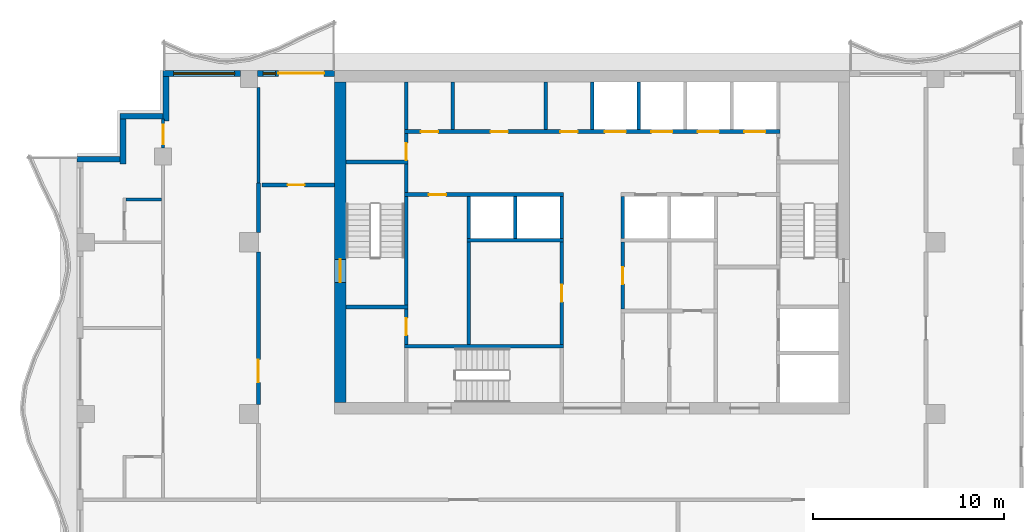
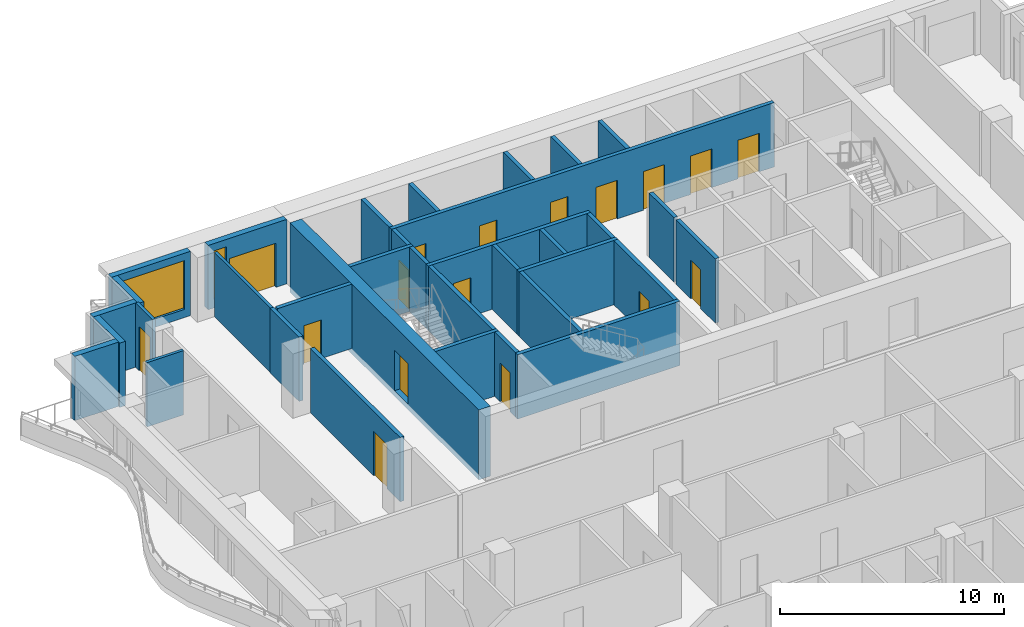
# One storey, part 5 of 11: 35 walls, 17 doors, 2 windows, 19 openings.
"""IFC4 building model written with IfcOpenShell, lengths in metres."""

from ifc_helpers import new_model, si_unit, direction, frame, frame_2d, origin, place, context, subcontext, project, spatial, rectangle, extrude, material, layer, layer_set, type_object, element, fill, save


model = new_model("IFC4")

# Units and contexts
model_context = context("Model", 3, precision=1e-05, world=origin(), true_north=direction((0.0, 1.0)))
body_context = subcontext(model_context, "Body", "Model", "MODEL_VIEW")
ifc_project = project(units=[si_unit("LENGTHUNIT", "METRE"), si_unit("AREAUNIT", "SQUARE_METRE"), si_unit("VOLUMEUNIT", "CUBIC_METRE"), si_unit("PLANEANGLEUNIT", "RADIAN"), si_unit("MASSUNIT", "GRAM", prefix="KILO")], contexts=[model_context])

# Site, building, storey
site_placement = place(None, origin())
site = spatial("IfcSite", under=ifc_project, at=site_placement, CompositionType="ELEMENT")
building_placement = place(site_placement, origin())
building = spatial("IfcBuilding", under=site, at=building_placement, Name="Orbiselva Terraces", CompositionType="ELEMENT")
storey_placement = place(building_placement, frame((0.0, 0.0, 254.0)))
storey = spatial("IfcBuildingStorey", under=building, at=storey_placement, Name="L64", CompositionType="ELEMENT", Elevation=254.0)

# Wall, opening, door
ifc_material_1 = material(Name="Concrete C80/95", Category="concrete")
ifc_layer_1 = layer(ifc_material_1, 0.6)
ifc_layer_set_1 = layer_set([ifc_layer_1], Name="Concrete C80/95")
wall_type_1 = type_object("IfcWallType", Name="CORE WALL 600", PredefinedType="SHEAR", material=ifc_layer_set_1)
wall_1_placement = place(storey_placement, frame((-13.2, 21.9, -0.3), z_axis=(0.0, 0.0, 1.0), x_axis=(0.0, -1.0, 0.0)))
wall_1 = element("IfcWall", 1, at=wall_1_placement, inside=storey, type_object=wall_type_1, Name="Core wall L64 west", PredefinedType="SHEAR", context=body_context, shape_type="SweptSolid", body=[
    extrude(rectangle(XDim=16.8, YDim=0.6, at=frame_2d((8.4, 0.0))), origin(), (0.0, 0.0, 1.0), 3.8),
])
opening_1_placement = place(wall_1_placement, frame((9.3, 0.0, 0.3)))
opening_1 = element("IfcOpeningElement", 2, at=opening_1_placement, cuts=wall_1, Name="Opening DS1200", PredefinedType="OPENING", context=body_context, shape_type="SweptSolid", body=[
    extrude(rectangle(XDim=1.2, YDim=2.2, at=frame_2d((0.6, 1.1))), frame((0.0, 0.31, 0.0), z_axis=(0.0, -1.0, 0.0), x_axis=(1.0, 0.0, 0.0)), (0.0, 0.0, 1.0), 0.62),
])
ifc_material_2 = material(Name="Steel fire door", Category="steel")
door_type_1 = type_object("IfcDoorType", Name="STAIR DOOR 1200", OperationType="NOTDEFINED", PredefinedType="DOOR", material=ifc_material_2)
door_1_placement = place(opening_1_placement, frame((1.2, 0.0, 0.0), z_axis=(0.0, 0.0, 1.0), x_axis=(-1.0, 0.0, 0.0)))
door_1 = element("IfcDoor", 3, at=door_1_placement, inside=storey, type_object=door_type_1, Name="L64 EXIT STAIR S1 door", OperationType="SINGLE_SWING_RIGHT", OverallHeight=2.2, OverallWidth=1.2, PredefinedType="DOOR", context=body_context, shape_type="SweptSolid", body=[
    extrude(rectangle(XDim=1.2, YDim=2.2, at=frame_2d((0.6, 1.1))), frame((0.0, 0.025, 0.0), z_axis=(0.0, -1.0, 0.0), x_axis=(1.0, 0.0, 0.0)), (0.0, 0.0, 1.0), 0.05),
])
fill(opening_1, door_1)

ifc_material_3 = material(Name="Masonry blockwork", Category="masonry")
ifc_layer_2 = layer(ifc_material_3, 0.2)
ifc_layer_set_2 = layer_set([ifc_layer_2], Name="Masonry blockwork")
wall_type_2 = type_object("IfcWallType", Name="CORE-WALL-PARTITION-200", PredefinedType="PARTITIONING", material=ifc_layer_set_2)
wall_2_placement = place(storey_placement, frame((-9.75, 8.15, 0.0), z_axis=(0.0, 0.0, 1.0), x_axis=(0.0, 1.0, 0.0)))
wall_2 = element("IfcWall", 4, at=wall_2_placement, inside=storey, type_object=wall_type_2, Name="L64 core wall 05", PredefinedType="PARTITIONING", context=body_context, shape_type="SweptSolid", body=[
    extrude(rectangle(XDim=1.85, YDim=0.2, at=frame_2d((0.925, 0.0))), origin(), (0.0, 0.0, 1.0), 3.5),
])
opening_2_placement = place(wall_2_placement, frame((0.475, 0.0, 0.0)))
opening_2 = element("IfcOpeningElement", 5, at=opening_2_placement, cuts=wall_2, Name="Opening DR900", PredefinedType="OPENING", context=body_context, shape_type="SweptSolid", body=[
    extrude(rectangle(XDim=0.9, YDim=2.1, at=frame_2d((0.45, 1.05))), frame((0.0, 0.11, 0.0), z_axis=(0.0, -1.0, 0.0), x_axis=(1.0, 0.0, 0.0)), (0.0, 0.0, 1.0), 0.22),
])
door_type_2 = type_object("IfcDoorType", Name="ROOM DOOR 900", OperationType="NOTDEFINED", PredefinedType="DOOR", material=ifc_material_2)
door_2_placement = place(opening_2_placement, origin())
door_2 = element("IfcDoor", 6, at=door_2_placement, inside=storey, type_object=door_type_2, Name="L64 STAFF WC door", OperationType="SINGLE_SWING_RIGHT", OverallHeight=2.1, OverallWidth=0.9, PredefinedType="DOOR", context=body_context, shape_type="SweptSolid", body=[
    extrude(rectangle(XDim=0.9, YDim=2.1, at=frame_2d((0.45, 1.05))), frame((0.0, 0.025, 0.0), z_axis=(0.0, -1.0, 0.0), x_axis=(1.0, 0.0, 0.0)), (0.0, 0.0, 1.0), 0.05),
])
fill(opening_2, door_2)

wall_3_placement = place(storey_placement, frame((-9.75, 17.8, 0.0), z_axis=(0.0, 0.0, 1.0), x_axis=(0.0, 1.0, 0.0)))
wall_3 = element("IfcWall", 7, at=wall_3_placement, inside=storey, type_object=wall_type_2, Name="L64 core wall 09", PredefinedType="PARTITIONING", context=body_context, shape_type="SweptSolid", body=[
    extrude(rectangle(XDim=1.4, YDim=0.2, at=frame_2d((0.7, 0.0))), origin(), (0.0, 0.0, 1.0), 3.5),
])
opening_3_placement = place(wall_3_placement, origin())
opening_3 = element("IfcOpeningElement", 8, at=opening_3_placement, cuts=wall_3, Name="Opening DR900", PredefinedType="OPENING", context=body_context, shape_type="SweptSolid", body=[
    extrude(rectangle(XDim=0.9, YDim=2.1, at=frame_2d((0.45, 1.05))), frame((0.0, 0.11, 0.0), z_axis=(0.0, -1.0, 0.0), x_axis=(1.0, 0.0, 0.0)), (0.0, 0.0, 1.0), 0.22),
])
door_3_placement = place(opening_3_placement, origin())
door_3 = element("IfcDoor", 9, at=door_3_placement, inside=storey, type_object=door_type_2, Name="L64 ELECTRICAL RISER ROOM door", OperationType="SINGLE_SWING_LEFT", OverallHeight=2.1, OverallWidth=0.9, PredefinedType="DOOR", context=body_context, shape_type="SweptSolid", body=[
    extrude(rectangle(XDim=0.9, YDim=2.1, at=frame_2d((0.45, 1.05))), frame((0.0, 0.025, 0.0), z_axis=(0.0, -1.0, 0.0), x_axis=(1.0, 0.0, 0.0)), (0.0, 0.0, 1.0), 0.05),
])
fill(opening_3, door_3)

# Walls
for number, where, z_axis, x_axis, name in (
    (10, (-9.75, 19.4, 0.0), (0.0, 0.0, 1.0), (0.0, 1.0, 0.0), "L64 core wall 11"),
    (11, (-7.3125, 19.4, 0.0), (0.0, 0.0, 1.0), (0.0, 1.0, 0.0), "L64 core wall 12"),
):
    element("IfcWall", number, at=place(storey_placement, frame(where, z_axis=z_axis, x_axis=x_axis)), inside=storey, type_object=wall_type_2, Name=name, PredefinedType="PARTITIONING", context=body_context, shape_type="SweptSolid", body=[
        extrude(rectangle(XDim=2.5, YDim=0.2, at=frame_2d((1.25, 0.0))), origin(), (0.0, 0.0, 1.0), 3.5),
    ])
wall_4_placement = place(storey_placement, frame((-6.475, 8.15, 0.0), z_axis=(0.0, 0.0, 1.0), x_axis=(0.0, 1.0, 0.0)))
element("IfcWall", 12, at=wall_4_placement, inside=storey, type_object=wall_type_2, Name="L64 core wall 13", PredefinedType="PARTITIONING", context=body_context, shape_type="SweptSolid", body=[
    extrude(rectangle(XDim=5.35, YDim=0.2, at=frame_2d((2.675, 0.0))), origin(), (0.0, 0.0, 1.0), 3.5),
])
wall_5_placement = place(storey_placement, frame((-2.4375, 19.4, 0.0), z_axis=(0.0, 0.0, 1.0), x_axis=(0.0, 1.0, 0.0)))
element("IfcWall", 13, at=wall_5_placement, inside=storey, type_object=wall_type_2, Name="L64 core wall 17", PredefinedType="PARTITIONING", context=body_context, shape_type="SweptSolid", body=[
    extrude(rectangle(XDim=2.5, YDim=0.2, at=frame_2d((1.25, 0.0))), origin(), (0.0, 0.0, 1.0), 3.5),
])
ifc_material_4 = material(Name="Concrete C40/50", Category="concrete")
ifc_layer_3 = layer(ifc_material_4, 0.2)
ifc_layer_set_3 = layer_set([ifc_layer_3], Name="Concrete C40/50")
wall_type_3 = type_object("IfcWallType", Name="CORE-WALL-SHAFT-200", PredefinedType="PARTITIONING", material=ifc_layer_set_3)
for number, where, z_axis, x_axis, name in (
    (14, (-6.475, 13.7, 0.0), (0.0, 0.0, 1.0), (0.0, 1.0, 0.0), "L64 core wall 15"),
    (15, (-4.0375, 13.7, 0.0), (0.0, 0.0, 1.0), (0.0, 1.0, 0.0), "L64 core wall 16"),
    (16, (-1.6, 13.7, 0.0), (0.0, 0.0, 1.0), (0.0, 1.0, 0.0), "L64 core wall 20"),
):
    element("IfcWall", number, at=place(storey_placement, frame(where, z_axis=z_axis, x_axis=x_axis)), inside=storey, type_object=wall_type_3, Name=name, PredefinedType="PARTITIONING", context=body_context, shape_type="SweptSolid", body=[
        extrude(rectangle(XDim=2.2, YDim=0.2, at=frame_2d((1.1, 0.0))), origin(), (0.0, 0.0, 1.0), 3.5),
    ])
wall_6_placement = place(storey_placement, frame((0.0, 19.4, 0.0), z_axis=(0.0, 0.0, 1.0), x_axis=(0.0, 1.0, 0.0)))
element("IfcWall", 17, at=wall_6_placement, inside=storey, type_object=wall_type_3, Name="L64 core wall 21", PredefinedType="PARTITIONING", context=body_context, shape_type="SweptSolid", body=[
    extrude(rectangle(XDim=2.5, YDim=0.2, at=frame_2d((1.25, 0.0))), origin(), (0.0, 0.0, 1.0), 3.5),
])
wall_7_placement = place(storey_placement, frame((1.6, 13.7, 0.0), z_axis=(0.0, 0.0, 1.0), x_axis=(0.0, 1.0, 0.0)))
element("IfcWall", 18, at=wall_7_placement, inside=storey, type_object=wall_type_3, Name="L64 core wall 26", PredefinedType="PARTITIONING", context=body_context, shape_type="SweptSolid", body=[
    extrude(rectangle(XDim=2.2, YDim=0.2, at=frame_2d((1.1, 0.0))), origin(), (0.0, 0.0, 1.0), 3.5),
])
wall_8_placement = place(storey_placement, frame((2.4375, 19.4, 0.0), z_axis=(0.0, 0.0, 1.0), x_axis=(0.0, 1.0, 0.0)))
element("IfcWall", 19, at=wall_8_placement, inside=storey, type_object=wall_type_3, Name="L64 core wall 28", PredefinedType="PARTITIONING", context=body_context, shape_type="SweptSolid", body=[
    extrude(rectangle(XDim=2.5, YDim=0.2, at=frame_2d((1.25, 0.0))), origin(), (0.0, 0.0, 1.0), 3.5),
])
ifc_material_5 = material(Name="Concrete C60/75", Category="concrete")
ifc_layer_4 = layer(ifc_material_5, 0.2)
ifc_layer_set_4 = layer_set([ifc_layer_4], Name="Concrete C60/75")
wall_type_4 = type_object("IfcWallType", Name="CORE-WALL-SHEAR-200", PredefinedType="SHEAR", material=ifc_layer_set_4)
for number, where, z_axis, x_axis, name in (
    (20, (-12.9, 10.1, 0.0), (0.0, 0.0, 1.0), (1.0, 0.0, 0.0), "L64 core wall 01"),
    (21, (-12.9, 17.7, 0.0), (0.0, 0.0, 1.0), (1.0, 0.0, 0.0), "L64 core wall 02"),
):
    element("IfcWall", number, at=place(storey_placement, frame(where, z_axis=z_axis, x_axis=x_axis)), inside=storey, type_object=wall_type_4, Name=name, PredefinedType="SHEAR", context=body_context, shape_type="SweptSolid", body=[
        extrude(rectangle(XDim=3.25, YDim=0.2, at=frame_2d((1.625, 0.0))), origin(), (0.0, 0.0, 1.0), 3.5),
    ])
wall_9_placement = place(storey_placement, frame((-9.85, 8.05, 0.0), z_axis=(0.0, 0.0, 1.0), x_axis=(1.0, 0.0, 0.0)))
element("IfcWall", 22, at=wall_9_placement, inside=storey, type_object=wall_type_4, Name="L64 core wall 04", PredefinedType="SHEAR", context=body_context, shape_type="SweptSolid", body=[
    extrude(rectangle(XDim=8.35, YDim=0.2, at=frame_2d((4.175, 0.0))), origin(), (0.0, 0.0, 1.0), 3.5),
])
wall_10_placement = place(storey_placement, frame((-9.75, 10.2, 0.0), z_axis=(0.0, 0.0, 1.0), x_axis=(0.0, 1.0, 0.0)))
element("IfcWall", 23, at=wall_10_placement, inside=storey, type_object=wall_type_4, Name="L64 core wall 06", PredefinedType="SHEAR", context=body_context, shape_type="SweptSolid", body=[
    extrude(rectangle(XDim=5.7, YDim=0.2, at=frame_2d((2.85, 0.0))), origin(), (0.0, 0.0, 1.0), 3.5),
])

# Wall, opening, door
wall_11_placement = place(storey_placement, frame((-1.5, 16.0, 0.0), z_axis=(0.0, 0.0, 1.0), x_axis=(-1.0, 0.0, 0.0)))
wall_11 = element("IfcWall", 24, at=wall_11_placement, inside=storey, type_object=wall_type_4, Name="L64 core wall 07", PredefinedType="SHEAR", context=body_context, shape_type="SweptSolid", body=[
    extrude(rectangle(XDim=8.35, YDim=0.2, at=frame_2d((4.175, 0.0))), origin(), (0.0, 0.0, 1.0), 3.5),
])
opening_4_placement = place(wall_11_placement, frame((6.1625, 0.0, 0.0)))
opening_4 = element("IfcOpeningElement", 25, at=opening_4_placement, cuts=wall_11, Name="Opening DR900", PredefinedType="OPENING", context=body_context, shape_type="SweptSolid", body=[
    extrude(rectangle(XDim=0.9, YDim=2.1, at=frame_2d((0.45, 1.05))), frame((0.0, 0.11, 0.0), z_axis=(0.0, -1.0, 0.0), x_axis=(1.0, 0.0, 0.0)), (0.0, 0.0, 1.0), 0.22),
])
door_4_placement = place(opening_4_placement, origin())
door_4 = element("IfcDoor", 26, at=door_4_placement, inside=storey, type_object=door_type_2, Name="L64 STAFF PANTRY door", OperationType="SINGLE_SWING_RIGHT", OverallHeight=2.1, OverallWidth=0.9, PredefinedType="DOOR", context=body_context, shape_type="SweptSolid", body=[
    extrude(rectangle(XDim=0.9, YDim=2.1, at=frame_2d((0.45, 1.05))), frame((0.0, 0.025, 0.0), z_axis=(0.0, -1.0, 0.0), x_axis=(1.0, 0.0, 0.0)), (0.0, 0.0, 1.0), 0.05),
])
fill(opening_4, door_4)

# Wall
wall_12_placement = place(storey_placement, frame((-9.75, 16.1, 0.0), z_axis=(0.0, 0.0, 1.0), x_axis=(0.0, 1.0, 0.0)))
element("IfcWall", 27, at=wall_12_placement, inside=storey, type_object=wall_type_4, Name="L64 core wall 08", PredefinedType="SHEAR", context=body_context, shape_type="SweptSolid", body=[
    extrude(rectangle(XDim=1.5, YDim=0.2, at=frame_2d((0.75, 0.0))), origin(), (0.0, 0.0, 1.0), 3.5),
])

# Wall, openings, doors
wall_13_placement = place(storey_placement, frame((-9.85, 19.3, 0.0), z_axis=(0.0, 0.0, 1.0), x_axis=(1.0, 0.0, 0.0)))
wall_13 = element("IfcWall", 28, at=wall_13_placement, inside=storey, type_object=wall_type_4, Name="L64 core wall 10", PredefinedType="SHEAR", context=body_context, shape_type="SweptSolid", body=[
    extrude(rectangle(XDim=19.7, YDim=0.2, at=frame_2d((9.85, 0.0))), origin(), (0.0, 0.0, 1.0), 3.5),
])
opening_5_placement = place(wall_13_placement, frame((10.51875, 0.0, 0.0)))
opening_5 = element("IfcOpeningElement", 29, at=opening_5_placement, cuts=wall_13, Name="Opening LD-HR1", PredefinedType="OPENING", context=body_context, shape_type="SweptSolid", body=[
    extrude(rectangle(XDim=1.1, YDim=2.1, at=frame_2d((0.55, 1.05))), frame((0.0, 0.11, 0.0), z_axis=(0.0, -1.0, 0.0), x_axis=(1.0, 0.0, 0.0)), (0.0, 0.0, 1.0), 0.22),
])
opening_6_placement = place(wall_13_placement, frame((12.95625, 0.0, 0.0)))
opening_6 = element("IfcOpeningElement", 30, at=opening_6_placement, cuts=wall_13, Name="Opening LD-HR2", PredefinedType="OPENING", context=body_context, shape_type="SweptSolid", body=[
    extrude(rectangle(XDim=1.1, YDim=2.1, at=frame_2d((0.55, 1.05))), frame((0.0, 0.11, 0.0), z_axis=(0.0, -1.0, 0.0), x_axis=(1.0, 0.0, 0.0)), (0.0, 0.0, 1.0), 0.22),
])
opening_7_placement = place(wall_13_placement, frame((15.39375, 0.0, 0.0)))
opening_7 = element("IfcOpeningElement", 31, at=opening_7_placement, cuts=wall_13, Name="Opening LD-HR3", PredefinedType="OPENING", context=body_context, shape_type="SweptSolid", body=[
    extrude(rectangle(XDim=1.1, YDim=2.1, at=frame_2d((0.55, 1.05))), frame((0.0, 0.11, 0.0), z_axis=(0.0, -1.0, 0.0), x_axis=(1.0, 0.0, 0.0)), (0.0, 0.0, 1.0), 0.22),
])
opening_8_placement = place(wall_13_placement, frame((17.83125, 0.0, 0.0)))
opening_8 = element("IfcOpeningElement", 32, at=opening_8_placement, cuts=wall_13, Name="Opening LD-HR4", PredefinedType="OPENING", context=body_context, shape_type="SweptSolid", body=[
    extrude(rectangle(XDim=1.1, YDim=2.1, at=frame_2d((0.55, 1.05))), frame((0.0, 0.11, 0.0), z_axis=(0.0, -1.0, 0.0), x_axis=(1.0, 0.0, 0.0)), (0.0, 0.0, 1.0), 0.22),
])
opening_9_placement = place(wall_13_placement, frame((0.8688, 0.0, 0.0)))
opening_9 = element("IfcOpeningElement", 33, at=opening_9_placement, cuts=wall_13, Name="Opening DR900", PredefinedType="OPENING", context=body_context, shape_type="SweptSolid", body=[
    extrude(rectangle(XDim=0.9, YDim=2.1, at=frame_2d((0.45, 1.05))), frame((0.0, 0.11, 0.0), z_axis=(0.0, -1.0, 0.0), x_axis=(1.0, 0.0, 0.0)), (0.0, 0.0, 1.0), 0.22),
])
opening_10_placement = place(wall_13_placement, frame((4.525, 0.0, 0.0)))
opening_10 = element("IfcOpeningElement", 34, at=opening_10_placement, cuts=wall_13, Name="Opening DR900", PredefinedType="OPENING", context=body_context, shape_type="SweptSolid", body=[
    extrude(rectangle(XDim=0.9, YDim=2.1, at=frame_2d((0.45, 1.05))), frame((0.0, 0.11, 0.0), z_axis=(0.0, -1.0, 0.0), x_axis=(1.0, 0.0, 0.0)), (0.0, 0.0, 1.0), 0.22),
])
opening_11_placement = place(wall_13_placement, frame((8.1812, 0.0, 0.0)))
opening_11 = element("IfcOpeningElement", 35, at=opening_11_placement, cuts=wall_13, Name="Opening DR900", PredefinedType="OPENING", context=body_context, shape_type="SweptSolid", body=[
    extrude(rectangle(XDim=0.9, YDim=2.1, at=frame_2d((0.45, 1.05))), frame((0.0, 0.11, 0.0), z_axis=(0.0, -1.0, 0.0), x_axis=(1.0, 0.0, 0.0)), (0.0, 0.0, 1.0), 0.22),
])
ifc_material_6 = material(Name="Stainless steel landing door", Category="steel")
door_type_3 = type_object("IfcDoorType", Name="LANDING DOOR 1100", OperationType="SLIDING_TO_LEFT", PredefinedType="DOOR", material=ifc_material_6)
door_5_placement = place(opening_5_placement, origin())
door_5 = element("IfcDoor", 36, at=door_5_placement, inside=storey, type_object=door_type_3, Name="L64 landing door HR1", OperationType="SLIDING_TO_RIGHT", OverallHeight=2.1, OverallWidth=1.1, PredefinedType="DOOR", context=body_context, shape_type="SweptSolid", body=[
    extrude(rectangle(XDim=1.1, YDim=2.1, at=frame_2d((0.55, 1.05))), frame((0.0, 0.025, 0.0), z_axis=(0.0, -1.0, 0.0), x_axis=(1.0, 0.0, 0.0)), (0.0, 0.0, 1.0), 0.05),
])
fill(opening_5, door_5)
door_6_placement = place(opening_6_placement, origin())
door_6 = element("IfcDoor", 37, at=door_6_placement, inside=storey, type_object=door_type_3, Name="L64 landing door HR2", OperationType="SLIDING_TO_RIGHT", OverallHeight=2.1, OverallWidth=1.1, PredefinedType="DOOR", context=body_context, shape_type="SweptSolid", body=[
    extrude(rectangle(XDim=1.1, YDim=2.1, at=frame_2d((0.55, 1.05))), frame((0.0, 0.025, 0.0), z_axis=(0.0, -1.0, 0.0), x_axis=(1.0, 0.0, 0.0)), (0.0, 0.0, 1.0), 0.05),
])
fill(opening_6, door_6)
door_7_placement = place(opening_7_placement, origin())
door_7 = element("IfcDoor", 38, at=door_7_placement, inside=storey, type_object=door_type_3, Name="L64 landing door HR3", OperationType="SLIDING_TO_RIGHT", OverallHeight=2.1, OverallWidth=1.1, PredefinedType="DOOR", context=body_context, shape_type="SweptSolid", body=[
    extrude(rectangle(XDim=1.1, YDim=2.1, at=frame_2d((0.55, 1.05))), frame((0.0, 0.025, 0.0), z_axis=(0.0, -1.0, 0.0), x_axis=(1.0, 0.0, 0.0)), (0.0, 0.0, 1.0), 0.05),
])
fill(opening_7, door_7)
door_8_placement = place(opening_8_placement, origin())
door_8 = element("IfcDoor", 39, at=door_8_placement, inside=storey, type_object=door_type_3, Name="L64 landing door HR4", OperationType="SLIDING_TO_RIGHT", OverallHeight=2.1, OverallWidth=1.1, PredefinedType="DOOR", context=body_context, shape_type="SweptSolid", body=[
    extrude(rectangle(XDim=1.1, YDim=2.1, at=frame_2d((0.55, 1.05))), frame((0.0, 0.025, 0.0), z_axis=(0.0, -1.0, 0.0), x_axis=(1.0, 0.0, 0.0)), (0.0, 0.0, 1.0), 0.05),
])
fill(opening_8, door_8)
door_9_placement = place(opening_9_placement, origin())
door_9 = element("IfcDoor", 40, at=door_9_placement, inside=storey, type_object=door_type_2, Name="L64 STORE door", OperationType="SINGLE_SWING_LEFT", OverallHeight=2.1, OverallWidth=0.9, PredefinedType="DOOR", context=body_context, shape_type="SweptSolid", body=[
    extrude(rectangle(XDim=0.9, YDim=2.1, at=frame_2d((0.45, 1.05))), frame((0.0, 0.025, 0.0), z_axis=(0.0, -1.0, 0.0), x_axis=(1.0, 0.0, 0.0)), (0.0, 0.0, 1.0), 0.05),
])
fill(opening_9, door_9)
door_10_placement = place(opening_10_placement, origin())
door_10 = element("IfcDoor", 41, at=door_10_placement, inside=storey, type_object=door_type_2, Name="L64 IT ROOM door", OperationType="SINGLE_SWING_LEFT", OverallHeight=2.1, OverallWidth=0.9, PredefinedType="DOOR", context=body_context, shape_type="SweptSolid", body=[
    extrude(rectangle(XDim=0.9, YDim=2.1, at=frame_2d((0.45, 1.05))), frame((0.0, 0.025, 0.0), z_axis=(0.0, -1.0, 0.0), x_axis=(1.0, 0.0, 0.0)), (0.0, 0.0, 1.0), 0.05),
])
fill(opening_10, door_10)
door_11_placement = place(opening_11_placement, origin())
door_11 = element("IfcDoor", 42, at=door_11_placement, inside=storey, type_object=door_type_2, Name="L64 CLEANERS STORE door", OperationType="SINGLE_SWING_LEFT", OverallHeight=2.1, OverallWidth=0.9, PredefinedType="DOOR", context=body_context, shape_type="SweptSolid", body=[
    extrude(rectangle(XDim=0.9, YDim=2.1, at=frame_2d((0.45, 1.05))), frame((0.0, 0.025, 0.0), z_axis=(0.0, -1.0, 0.0), x_axis=(1.0, 0.0, 0.0)), (0.0, 0.0, 1.0), 0.05),
])
fill(opening_11, door_11)

# Wall
wall_14_placement = place(storey_placement, frame((-6.575, 13.6, 0.0), z_axis=(0.0, 0.0, 1.0), x_axis=(1.0, 0.0, 0.0)))
element("IfcWall", 43, at=wall_14_placement, inside=storey, type_object=wall_type_4, Name="L64 core wall 14", PredefinedType="SHEAR", context=body_context, shape_type="SweptSolid", body=[
    extrude(rectangle(XDim=5.075, YDim=0.2, at=frame_2d((2.5375, 0.0))), origin(), (0.0, 0.0, 1.0), 3.5),
])

# Wall, opening, door
wall_15_placement = place(storey_placement, frame((-1.6, 8.15, 0.0), z_axis=(0.0, 0.0, 1.0), x_axis=(0.0, 1.0, 0.0)))
wall_15 = element("IfcWall", 44, at=wall_15_placement, inside=storey, type_object=wall_type_4, Name="L64 core wall 19", PredefinedType="SHEAR", context=body_context, shape_type="SweptSolid", body=[
    extrude(rectangle(XDim=5.35, YDim=0.2, at=frame_2d((2.675, 0.0))), origin(), (0.0, 0.0, 1.0), 3.5),
])
opening_12_placement = place(wall_15_placement, frame((2.225, 0.0, 0.0)))
opening_12 = element("IfcOpeningElement", 45, at=opening_12_placement, cuts=wall_15, Name="Opening DR900", PredefinedType="OPENING", context=body_context, shape_type="SweptSolid", body=[
    extrude(rectangle(XDim=0.9, YDim=2.1, at=frame_2d((0.45, 1.05))), frame((0.0, 0.11, 0.0), z_axis=(0.0, -1.0, 0.0), x_axis=(1.0, 0.0, 0.0)), (0.0, 0.0, 1.0), 0.22),
])
door_12_placement = place(opening_12_placement, origin())
door_12 = element("IfcDoor", 46, at=door_12_placement, inside=storey, type_object=door_type_2, Name="L64 HOUSEKEEPING STORE door", OperationType="SINGLE_SWING_RIGHT", OverallHeight=2.1, OverallWidth=0.9, PredefinedType="DOOR", context=body_context, shape_type="SweptSolid", body=[
    extrude(rectangle(XDim=0.9, YDim=2.1, at=frame_2d((0.45, 1.05))), frame((0.0, 0.025, 0.0), z_axis=(0.0, -1.0, 0.0), x_axis=(1.0, 0.0, 0.0)), (0.0, 0.0, 1.0), 0.05),
])
fill(opening_12, door_12)

wall_16_placement = place(storey_placement, frame((1.6, 13.5, 0.0), z_axis=(0.0, 0.0, 1.0), x_axis=(0.0, -1.0, 0.0)))
wall_16 = element("IfcWall", 47, at=wall_16_placement, inside=storey, type_object=wall_type_4, Name="L64 core wall 24", PredefinedType="SHEAR", context=body_context, shape_type="SweptSolid", body=[
    extrude(rectangle(XDim=3.5, YDim=0.2, at=frame_2d((1.75, 0.0))), origin(), (0.0, 0.0, 1.0), 3.5),
])
opening_13_placement = place(wall_16_placement, frame((1.3, 0.0, 0.0)))
opening_13 = element("IfcOpeningElement", 48, at=opening_13_placement, cuts=wall_16, Name="Opening DR900", PredefinedType="OPENING", context=body_context, shape_type="SweptSolid", body=[
    extrude(rectangle(XDim=0.9, YDim=2.1, at=frame_2d((0.45, 1.05))), frame((0.0, 0.11, 0.0), z_axis=(0.0, -1.0, 0.0), x_axis=(1.0, 0.0, 0.0)), (0.0, 0.0, 1.0), 0.22),
])
door_13_placement = place(opening_13_placement, origin())
door_13 = element("IfcDoor", 49, at=door_13_placement, inside=storey, type_object=door_type_2, Name="L64 COMMS ROOM door", OperationType="SINGLE_SWING_RIGHT", OverallHeight=2.1, OverallWidth=0.9, PredefinedType="DOOR", context=body_context, shape_type="SweptSolid", body=[
    extrude(rectangle(XDim=0.9, YDim=2.1, at=frame_2d((0.45, 1.05))), frame((0.0, 0.025, 0.0), z_axis=(0.0, -1.0, 0.0), x_axis=(1.0, 0.0, 0.0)), (0.0, 0.0, 1.0), 0.05),
])
fill(opening_13, door_13)

# Wall, openings, door, window
ifc_material_7 = material(Name="Terracotta cladding on masonry backing", Category="masonry")
ifc_layer_5 = layer(ifc_material_7, 0.3)
ifc_layer_set_5 = layer_set([ifc_layer_5], Name="Terracotta cladding on masonry backing")
wall_type_5 = type_object("IfcWallType", Name="ENV-WALL-TERRACOTTA-300", PredefinedType="SOLIDWALL", material=ifc_layer_set_5)
wall_17_placement = place(storey_placement, frame((-17.55, 22.35, 0.0), z_axis=(0.0, 0.0, 1.0), x_axis=(1.0, 0.0, 0.0)))
wall_17 = element("IfcWall", 50, at=wall_17_placement, inside=storey, type_object=wall_type_5, Name="Facade wall L64 NW", PredefinedType="SOLIDWALL", context=body_context, shape_type="SweptSolid", body=[
    extrude(rectangle(XDim=4.05, YDim=0.3, at=frame_2d((2.025, 0.0))), origin(), (0.0, 0.0, 1.0), 3.5),
])
opening_14_placement = place(wall_17_placement, frame((1.1, 0.0, 0.0)))
opening_14 = element("IfcOpeningElement", 51, at=opening_14_placement, cuts=wall_17, Name="Opening Z5-B-E16", PredefinedType="OPENING", context=body_context, shape_type="SweptSolid", body=[
    extrude(rectangle(XDim=2.4, YDim=2.4, at=frame_2d((1.2, 1.2))), frame((0.0, 0.16, 0.0), z_axis=(0.0, -1.0, 0.0), x_axis=(1.0, 0.0, 0.0)), (0.0, 0.0, 1.0), 0.32),
])
opening_15_placement = place(wall_17_placement, frame((0.3, 0.0, 0.45)))
opening_15 = element("IfcOpeningElement", 52, at=opening_15_placement, cuts=wall_17, Name="Opening WN2", PredefinedType="OPENING", context=body_context, shape_type="SweptSolid", body=[
    extrude(rectangle(XDim=0.65, YDim=2.65, at=frame_2d((0.325, 1.325))), frame((0.0, 0.16, 0.0), z_axis=(0.0, -1.0, 0.0), x_axis=(1.0, 0.0, 0.0)), (0.0, 0.0, 1.0), 0.32),
])
ifc_material_8 = material(Name="Clear low-e glazing in aluminium frame", Category="aluminium")
door_type_4 = type_object("IfcDoorType", Name="BALCONY DOOR 2400 X 2400", OperationType="DOUBLE_DOOR_SLIDING", PredefinedType="DOOR", material=ifc_material_8)
door_14_placement = place(opening_14_placement, origin())
door_14 = element("IfcDoor", 53, at=door_14_placement, inside=storey, type_object=door_type_4, Name="Z5-B-E16", OperationType="SINGLE_SWING_LEFT", OverallHeight=2.4, OverallWidth=2.4, PredefinedType="DOOR", context=body_context, shape_type="SweptSolid", body=[
    extrude(rectangle(XDim=2.4, YDim=2.4, at=frame_2d((1.2, 1.2))), frame((0.0, 0.025, 0.0), z_axis=(0.0, -1.0, 0.0), x_axis=(1.0, 0.0, 0.0)), (0.0, 0.0, 1.0), 0.05),
])
fill(opening_14, door_14)
window_type_1 = type_object("IfcWindowType", Name="WINDOW 650 X 2650 S450", PartitioningType="TRIPLE_PANEL_VERTICAL", PredefinedType="WINDOW", material=ifc_material_8)
window_1_placement = place(opening_15_placement, origin())
window_1 = element("IfcWindow", 54, at=window_1_placement, inside=storey, type_object=window_type_1, Name="Window L64 NW", OverallHeight=2.65, OverallWidth=0.65, PartitioningType="SINGLE_PANEL", PredefinedType="WINDOW", context=body_context, shape_type="SweptSolid", body=[
    extrude(rectangle(XDim=0.65, YDim=2.65, at=frame_2d((0.325, 1.325))), frame((0.0, 0.03, 0.0), z_axis=(0.0, -1.0, 0.0), x_axis=(1.0, 0.0, 0.0)), (0.0, 0.0, 1.0), 0.06),
])
fill(opening_15, window_1)

# Wall, opening, window
wall_18_placement = place(storey_placement, frame((-22.5, 22.35, 0.0), z_axis=(0.0, 0.0, 1.0), x_axis=(1.0, 0.0, 0.0)))
wall_18 = element("IfcWall", 55, at=wall_18_placement, inside=storey, type_object=wall_type_5, Name="Facade wall L64 NW", PredefinedType="SOLIDWALL", context=body_context, shape_type="SweptSolid", body=[
    extrude(rectangle(XDim=4.05, YDim=0.3, at=frame_2d((2.025, 0.0))), origin(), (0.0, 0.0, 1.0), 3.5),
])
opening_16_placement = place(wall_18_placement, frame((0.55, 0.0, 0.45)))
opening_16 = element("IfcOpeningElement", 56, at=opening_16_placement, cuts=wall_18, Name="Opening WN17", PredefinedType="OPENING", context=body_context, shape_type="SweptSolid", body=[
    extrude(rectangle(XDim=3.2, YDim=2.65, at=frame_2d((1.6, 1.325))), frame((0.0, 0.16, 0.0), z_axis=(0.0, -1.0, 0.0), x_axis=(1.0, 0.0, 0.0)), (0.0, 0.0, 1.0), 0.32),
])
window_type_2 = type_object("IfcWindowType", Name="WINDOW 3200 X 2650 S450", PartitioningType="TRIPLE_PANEL_VERTICAL", PredefinedType="WINDOW", material=ifc_material_8)
window_2_placement = place(opening_16_placement, origin())
window_2 = element("IfcWindow", 57, at=window_2_placement, inside=storey, type_object=window_type_2, Name="Window L64 NW", OverallHeight=2.65, OverallWidth=3.2, PartitioningType="SINGLE_PANEL", PredefinedType="WINDOW", context=body_context, shape_type="SweptSolid", body=[
    extrude(rectangle(XDim=3.2, YDim=2.65, at=frame_2d((1.6, 1.325))), frame((0.0, 0.03, 0.0), z_axis=(0.0, -1.0, 0.0), x_axis=(1.0, 0.0, 0.0)), (0.0, 0.0, 1.0), 0.06),
])
fill(opening_16, window_2)

# Walls
wall_19_placement = place(storey_placement, frame((-22.35, 19.85, 0.0), z_axis=(0.0, 0.0, 1.0), x_axis=(0.0, 1.0, 0.0)))
element("IfcWall", 58, at=wall_19_placement, inside=storey, type_object=wall_type_5, Name="Facade wall L64 STEP", PredefinedType="SOLIDWALL", context=body_context, shape_type="SweptSolid", body=[
    extrude(rectangle(XDim=2.35, YDim=0.3, at=frame_2d((1.175, 0.0))), origin(), (0.0, 0.0, 1.0), 3.5),
])
wall_20_placement = place(storey_placement, frame((-24.75, 20.1, 0.0), z_axis=(0.0, 0.0, 1.0), x_axis=(1.0, 0.0, 0.0)))
element("IfcWall", 59, at=wall_20_placement, inside=storey, type_object=wall_type_5, Name="Facade wall L64 STEP", PredefinedType="SOLIDWALL", context=body_context, shape_type="SweptSolid", body=[
    extrude(rectangle(XDim=2.25, YDim=0.3, at=frame_2d((1.125, 0.0))), origin(), (0.0, 0.0, 1.0), 3.5),
])
wall_21_placement = place(storey_placement, frame((-24.6, 17.6, 0.0), z_axis=(0.0, 0.0, 1.0), x_axis=(0.0, 1.0, 0.0)))
element("IfcWall", 60, at=wall_21_placement, inside=storey, type_object=wall_type_5, Name="Facade wall L64 STEP", PredefinedType="SOLIDWALL", context=body_context, shape_type="SweptSolid", body=[
    extrude(rectangle(XDim=2.35, YDim=0.3, at=frame_2d((1.175, 0.0))), origin(), (0.0, 0.0, 1.0), 3.5),
])
wall_22_placement = place(storey_placement, frame((-27.0, 17.85, 0.0), z_axis=(0.0, 0.0, 1.0), x_axis=(1.0, 0.0, 0.0)))
element("IfcWall", 61, at=wall_22_placement, inside=storey, type_object=wall_type_5, Name="Facade wall L64 STEP", PredefinedType="SOLIDWALL", context=body_context, shape_type="SweptSolid", body=[
    extrude(rectangle(XDim=2.25, YDim=0.3, at=frame_2d((1.125, 0.0))), origin(), (0.0, 0.0, 1.0), 3.5),
])

# Wall, opening, door
ifc_material_9 = material(Name="Plasterboard on steel stud partition", Category="steel")
ifc_layer_6 = layer(ifc_material_9, 0.2)
ifc_layer_set_6 = layer_set([ifc_layer_6], Name="Plasterboard on steel stud partition")
wall_type_6 = type_object("IfcWallType", Name="UNIT-ENTRANCE-WALL-200", PredefinedType="PARTITIONING", material=ifc_layer_set_6)
wall_23_placement = place(storey_placement, frame((-17.325, 16.5, 0.0), z_axis=(0.0, 0.0, 1.0), x_axis=(1.0, 0.0, 0.0)))
wall_23 = element("IfcWall", 62, at=wall_23_placement, inside=storey, type_object=wall_type_6, Name="PARTITION L64-038", PredefinedType="PARTITIONING", context=body_context, shape_type="SweptSolid", body=[
    extrude(rectangle(XDim=3.825, YDim=0.2, at=frame_2d((1.9125, 0.0))), origin(), (0.0, 0.0, 1.0), 3.5),
])
opening_17_placement = place(wall_23_placement, frame((1.35, 0.0, 0.0)))
opening_17 = element("IfcOpeningElement", 63, at=opening_17_placement, cuts=wall_23, Name="Opening Z5-B-01", PredefinedType="OPENING", context=body_context, shape_type="SweptSolid", body=[
    extrude(rectangle(XDim=0.9, YDim=2.1, at=frame_2d((0.45, 1.05))), frame((0.0, 0.11, 0.0), z_axis=(0.0, -1.0, 0.0), x_axis=(1.0, 0.0, 0.0)), (0.0, 0.0, 1.0), 0.22),
])
ifc_material_10 = material(Name="Painted timber door leaf", Category="wood")
door_type_5 = type_object("IfcDoorType", Name="SERVICE DOOR 900", OperationType="NOTDEFINED", PredefinedType="DOOR", material=ifc_material_10)
door_15_placement = place(opening_17_placement, origin())
door_15 = element("IfcDoor", 64, at=door_15_placement, inside=storey, type_object=door_type_5, Name="Z5-B-01", OperationType="SINGLE_SWING_LEFT", OverallHeight=2.1, OverallWidth=0.9, PredefinedType="DOOR", context=body_context, shape_type="SweptSolid", body=[
    extrude(rectangle(XDim=0.9, YDim=2.1, at=frame_2d((0.45, 1.05))), frame((0.0, 0.025, 0.0), z_axis=(0.0, -1.0, 0.0), x_axis=(1.0, 0.0, 0.0)), (0.0, 0.0, 1.0), 0.05),
])
fill(opening_17, door_15)

wall_24_placement = place(storey_placement, frame((-17.5, 5.0, 0.0), z_axis=(0.0, 0.0, 1.0), x_axis=(0.0, 1.0, 0.0)))
wall_24 = element("IfcWall", 65, at=wall_24_placement, inside=storey, type_object=wall_type_6, Name="PARTITION L64-049", PredefinedType="PARTITIONING", context=body_context, shape_type="SweptSolid", body=[
    extrude(rectangle(XDim=8.0, YDim=0.2, at=frame_2d((4.0, 0.0))), origin(), (0.0, 0.0, 1.0), 3.5),
])
opening_18_placement = place(wall_24_placement, frame((1.15, 0.0, 0.0)))
opening_18 = element("IfcOpeningElement", 66, at=opening_18_placement, cuts=wall_24, Name="Opening Z5-B-02", PredefinedType="OPENING", context=body_context, shape_type="SweptSolid", body=[
    extrude(rectangle(XDim=1.2, YDim=2.4, at=frame_2d((0.6, 1.2))), frame((0.0, 0.11, 0.0), z_axis=(0.0, -1.0, 0.0), x_axis=(1.0, 0.0, 0.0)), (0.0, 0.0, 1.0), 0.22),
])
door_type_6 = type_object("IfcDoorType", Name="ENTRANCE DOOR 1200", OperationType="NOTDEFINED", PredefinedType="DOOR", material=ifc_material_10)
door_16_placement = place(opening_18_placement, origin())
door_16 = element("IfcDoor", 67, at=door_16_placement, inside=storey, type_object=door_type_6, Name="Z5-B-02", OperationType="SINGLE_SWING_LEFT", OverallHeight=2.4, OverallWidth=1.2, PredefinedType="DOOR", context=body_context, shape_type="SweptSolid", body=[
    extrude(rectangle(XDim=1.2, YDim=2.4, at=frame_2d((0.6, 1.2))), frame((0.0, 0.025, 0.0), z_axis=(0.0, -1.0, 0.0), x_axis=(1.0, 0.0, 0.0)), (0.0, 0.0, 1.0), 0.05),
])
fill(opening_18, door_16)

# Walls
wall_25_placement = place(storey_placement, frame((-17.5, 14.0, 0.0), z_axis=(0.0, 0.0, 1.0), x_axis=(0.0, 1.0, 0.0)))
element("IfcWall", 68, at=wall_25_placement, inside=storey, type_object=wall_type_6, Name="PARTITION L64-050", PredefinedType="PARTITIONING", context=body_context, shape_type="SweptSolid", body=[
    extrude(rectangle(XDim=2.6, YDim=0.2, at=frame_2d((1.3, 0.0))), origin(), (0.0, 0.0, 1.0), 3.5),
])
ifc_layer_7 = layer(ifc_material_9, 0.15)
ifc_layer_set_7 = layer_set([ifc_layer_7], Name="Plasterboard on steel stud partition")
wall_type_7 = type_object("IfcWallType", Name="UNIT-PARTITION-150", PredefinedType="PARTITIONING", material=ifc_layer_set_7)
wall_26_placement = place(storey_placement, frame((-24.45, 15.75, 0.0), z_axis=(0.0, 0.0, 1.0), x_axis=(1.0, 0.0, 0.0)))
element("IfcWall", 69, at=wall_26_placement, inside=storey, type_object=wall_type_7, Name="PARTITION L64-036", PredefinedType="PARTITIONING", context=body_context, shape_type="SweptSolid", body=[
    extrude(rectangle(XDim=1.875, YDim=0.15, at=frame_2d((0.9375, 0.0))), origin(), (0.0, 0.0, 1.0), 3.5),
])

# Wall, opening, door
wall_27_placement = place(storey_placement, frame((-22.5, 18.45, 0.0), z_axis=(0.0, 0.0, 1.0), x_axis=(0.0, 1.0, 0.0)))
wall_27 = element("IfcWall", 70, at=wall_27_placement, inside=storey, type_object=wall_type_7, Name="PARTITION L64-045", PredefinedType="PARTITIONING", context=body_context, shape_type="SweptSolid", body=[
    extrude(rectangle(XDim=1.5, YDim=0.15, at=frame_2d((0.75, 0.0))), origin(), (0.0, 0.0, 1.0), 3.5),
])
opening_19_placement = place(wall_27_placement, frame((0.2, 0.0, 0.0)))
opening_19 = element("IfcOpeningElement", 71, at=opening_19_placement, cuts=wall_27, Name="Opening Z5-B-06", PredefinedType="OPENING", context=body_context, shape_type="SweptSolid", body=[
    extrude(rectangle(XDim=1.0, YDim=2.4, at=frame_2d((0.5, 1.2))), frame((0.0, 0.085, 0.0), z_axis=(0.0, -1.0, 0.0), x_axis=(1.0, 0.0, 0.0)), (0.0, 0.0, 1.0), 0.17),
])
door_type_7 = type_object("IfcDoorType", Name="ROOM DOOR 1000", OperationType="NOTDEFINED", PredefinedType="DOOR", material=ifc_material_10)
door_17_placement = place(opening_19_placement, origin())
door_17 = element("IfcDoor", 72, at=door_17_placement, inside=storey, type_object=door_type_7, Name="Z5-B-06", OperationType="SINGLE_SWING_LEFT", OverallHeight=2.4, OverallWidth=1.0, PredefinedType="DOOR", context=body_context, shape_type="SweptSolid", body=[
    extrude(rectangle(XDim=1.0, YDim=2.4, at=frame_2d((0.5, 1.2))), frame((0.0, 0.025, 0.0), z_axis=(0.0, -1.0, 0.0), x_axis=(1.0, 0.0, 0.0)), (0.0, 0.0, 1.0), 0.05),
])
fill(opening_19, door_17)

# Wall
wall_28_placement = place(storey_placement, frame((-17.5, 16.4, 0.0), z_axis=(0.0, 0.0, 1.0), x_axis=(0.0, 1.0, 0.0)))
element("IfcWall", 73, at=wall_28_placement, inside=storey, type_object=wall_type_7, Name="PARTITION L64-051", PredefinedType="PARTITIONING", context=body_context, shape_type="SweptSolid", body=[
    extrude(rectangle(XDim=5.2, YDim=0.15, at=frame_2d((2.6, 0.0))), origin(), (0.0, 0.0, 1.0), 3.5),
])

save(model, "model.ifc")
